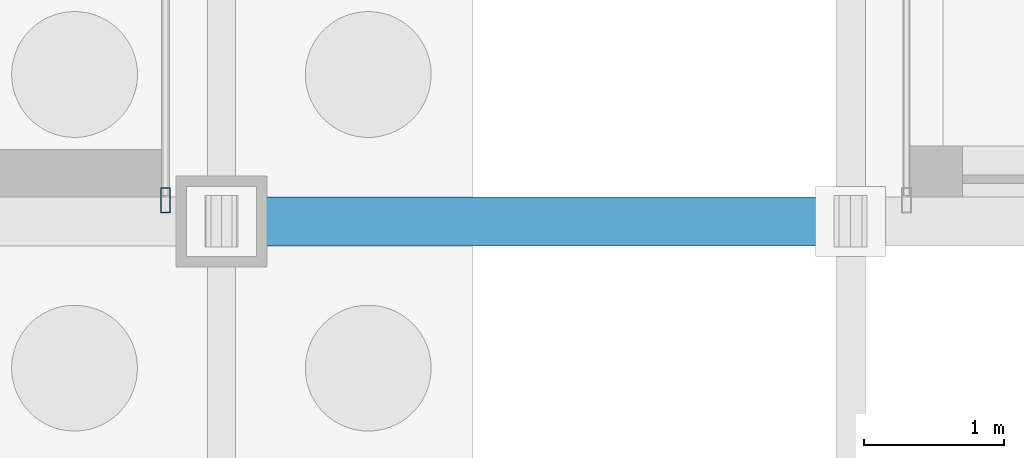
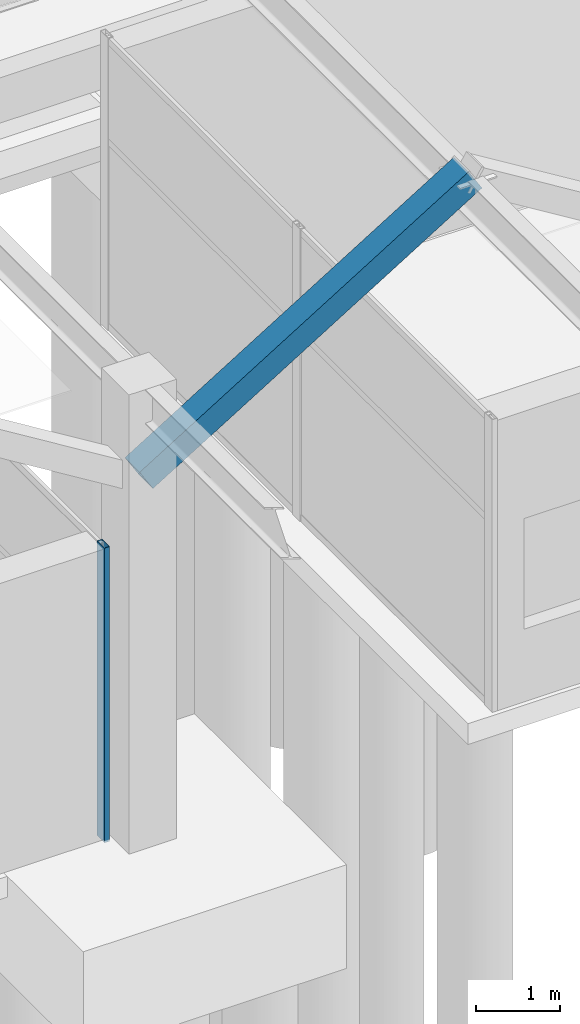
# One storey, part 44 of 160: 2 members, 1 element without a shape of its own.
"""IFC4 building model written with IfcOpenShell, lengths in metres."""

from ifc_helpers import new_model, si_unit, direction, frame, origin, origin_2d, place, context, subcontext, project, spatial, hollow_rectangle, extrude, material, layer, layer_set, material_profile, profile_set, type_object, element, aggregate, save


model = new_model("IFC4")

# Units and contexts
model_context = context("Model", 3, precision=1e-05, world=origin(), true_north=direction((0.0, 1.0)))
body_context = subcontext(model_context, "Body", "Model", "MODEL_VIEW")
ifc_project = project(units=[si_unit("LENGTHUNIT", "METRE"), si_unit("AREAUNIT", "SQUARE_METRE"), si_unit("VOLUMEUNIT", "CUBIC_METRE"), si_unit("PLANEANGLEUNIT", "RADIAN"), si_unit("MASSUNIT", "GRAM", prefix="KILO")], contexts=[model_context])

# Site, building, storey
site_placement = place(None, origin())
site = spatial("IfcSite", under=ifc_project, at=site_placement, CompositionType="ELEMENT")
building_placement = place(site_placement, origin())
building = spatial("IfcBuilding", under=site, at=building_placement, Name="Marlcrest Central Station", CompositionType="ELEMENT")
storey_placement = place(building_placement, origin())
storey = spatial("IfcBuildingStorey", under=building, at=storey_placement, Name="L00", CompositionType="ELEMENT", Elevation=0.0)

# Curtain wall, member
ifc_material_1 = material(Name="Anodised aluminium and hurricane laminated glass", Category="aluminium")
ifc_layer = layer(ifc_material_1, 0.179931640625, Name="CW-S1")
ifc_layer_set = layer_set([ifc_layer], Name="Anodised aluminium and hurricane laminated glass")
curtain_wall_type = type_object("IfcCurtainWallType", Name="CW-S1", PredefinedType="USERDEFINED", material=ifc_layer_set)
curtain_wall_placement = place(storey_placement, origin())
curtain_wall = element("IfcCurtainWall", 1, at=curtain_wall_placement, inside=storey, type_object=curtain_wall_type, Name="cw-L00-0144", ObjectType="STICK_CURTAIN_WALL", PredefinedType="USERDEFINED")
ifc_material_2 = material(Name="Anodised aluminium 6063-T6", Category="aluminium")
ifc_material_profile_1 = material_profile(ifc_material_2, hollow_rectangle(XDim=0.070068359375, YDim=0.179931640625, WallThickness=0.0048828125, at=origin_2d()), Name="AA-RHS 180x70x5")
ifc_profile_set_1 = profile_set([ifc_material_profile_1], Name="Anodised aluminium 6063-T6")
member_type_1 = type_object("IfcMemberType", Name="ML-02", PredefinedType="MULLION", material=ifc_profile_set_1)
member_1_placement = place(storey_placement, frame((17.60009765625, 22.64990234375, -0.030029296875), z_axis=(0.0, 0.0, 1.0), x_axis=(1.0, 0.0, 0.0)))
member_1 = element("IfcMember", 2, at=member_1_placement, type_object=member_type_1, Name="cw-L00-0144-ml-2", PredefinedType="MULLION", context=body_context, shape_type="SweptSolid", body=[
    extrude(hollow_rectangle(XDim=0.070068359375, YDim=0.179931640625, WallThickness=0.0048828125, at=origin_2d()), origin(), (0.0, 0.0, 1.0), 4.260009765625),
])
aggregate(curtain_wall, [member_1])

# Member
ifc_material_3 = material(Name="Steel S355", Category="steel")
ifc_material_profile_2 = material_profile(ifc_material_3, hollow_rectangle(XDim=0.35009765625, YDim=0.35009765625, WallThickness=0.01611328125, at=origin_2d()), Name="SHS 350x350x16")
ifc_profile_set_2 = profile_set([ifc_material_profile_2], Name="Steel S355")
member_type_2 = type_object("IfcMemberType", Name="ST-02", PredefinedType="STRUT", material=ifc_profile_set_2)
member_2_placement = place(storey_placement, frame((18.0, 22.5, 5.199951171875), z_axis=(0.851591684043, 0.0, 0.524205688322), x_axis=(0.0, 1.0, 0.0)))
element("IfcMember", 3, at=member_2_placement, inside=storey, type_object=member_type_2, Name="mem-ST-02-L00-00033", PredefinedType="STRUT", context=body_context, shape_type="SweptSolid", body=[
    extrude(hollow_rectangle(XDim=0.35009765625, YDim=0.35009765625, WallThickness=0.01611328125, at=origin_2d()), origin(), (0.0, 0.0, 1.0), 5.2841796875),
])

save(model, "model.ifc")
